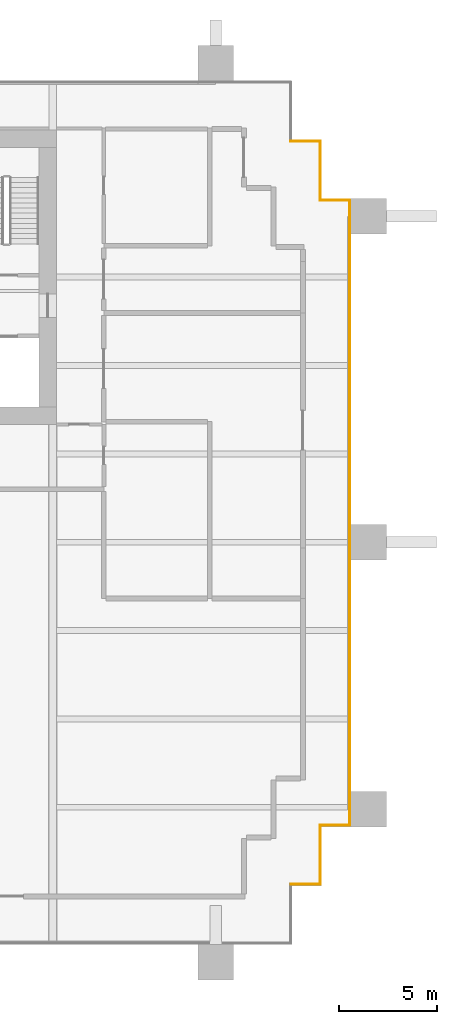
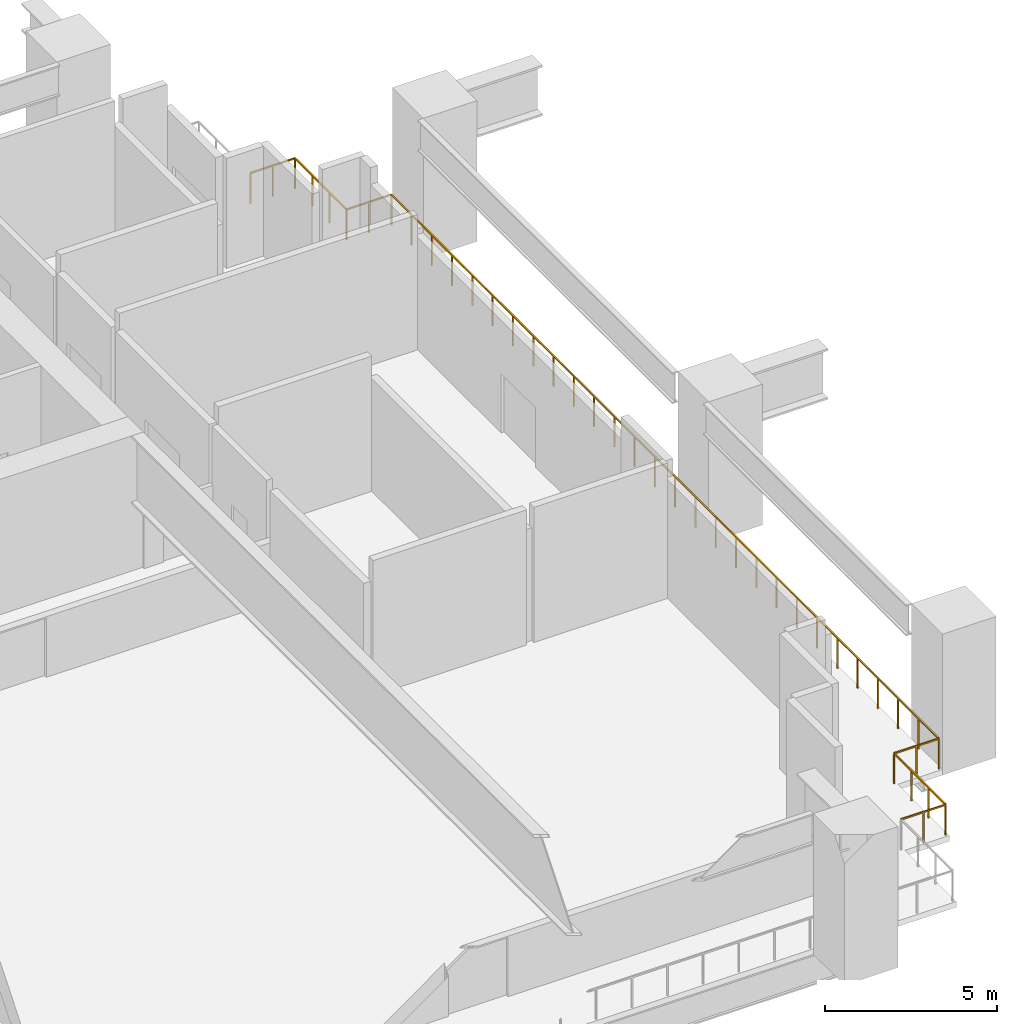
# One storey, part 11 of 11: 7 railings.
"""IFC4 building model written with IfcOpenShell, lengths in metres."""

from ifc_helpers import new_model, si_unit, direction, frame, origin, origin_2d, place, context, subcontext, project, spatial, rectangle, extrude, material, type_object, element, save


model = new_model("IFC4")

# Units and contexts
model_context = context("Model", 3, precision=1e-05, world=origin(), true_north=direction((0.0, 1.0)))
body_context = subcontext(model_context, "Body", "Model", "MODEL_VIEW")
ifc_project = project(units=[si_unit("LENGTHUNIT", "METRE"), si_unit("AREAUNIT", "SQUARE_METRE"), si_unit("VOLUMEUNIT", "CUBIC_METRE"), si_unit("PLANEANGLEUNIT", "RADIAN"), si_unit("MASSUNIT", "GRAM", prefix="KILO")], contexts=[model_context])

# Site, building, storey
site_placement = place(None, origin())
site = spatial("IfcSite", under=ifc_project, at=site_placement, CompositionType="ELEMENT")
building_placement = place(site_placement, origin())
building = spatial("IfcBuilding", under=site, at=building_placement, Name="Rattan Terrace Tower", CompositionType="ELEMENT")
storey_placement = place(building_placement, frame((0.0, 0.0, 69.300048828125)))
storey = spatial("IfcBuildingStorey", under=building, at=storey_placement, Name="L15", CompositionType="ELEMENT", Elevation=69.300048828125)

# Railings
ifc_material = material(Name="Stainless steel 316", Category="steel")
railing_type = type_object("IfcRailingType", Name="Facade Guard 1100", PredefinedType="GUARDRAIL", material=ifc_material)
railing_1_placement = place(storey_placement, frame((29.919921875, 6.919921875, 0.0)))
element("IfcRailing", 1, at=railing_1_placement, inside=storey, type_object=railing_type, Name="Guard L15-13", PredefinedType="GUARDRAIL", context=body_context, shape_type="SweptSolid", body=[
    extrude(rectangle(XDim=0.048095703125, YDim=0.048095703125, at=origin_2d()), frame((0.0, 0.0, 1.076171875), z_axis=(1.0, 0.0, 0.0), x_axis=(0.0, 1.0, 0.0)), (0.0, 0.0, 1.0), 1.5),
    extrude(rectangle(XDim=0.0419921875, YDim=0.0419921875, at=origin_2d()), origin(), (0.0, 0.0, 1.0), 1.052001953125),
    extrude(rectangle(XDim=0.0419921875, YDim=0.0419921875, at=origin_2d()), frame((0.75, 0.0, 0.0)), (0.0, 0.0, 1.0), 1.052001953125),
])
railing_2_placement = place(storey_placement, frame((31.419921875, 6.919921875, 0.0)))
element("IfcRailing", 2, at=railing_2_placement, inside=storey, type_object=railing_type, Name="Guard L15-14", PredefinedType="GUARDRAIL", context=body_context, shape_type="SweptSolid", body=[
    extrude(rectangle(XDim=0.048095703125, YDim=0.048095703125, at=origin_2d()), frame((0.0, 0.0, 1.076171875), z_axis=(0.0, -1.0, 0.0), x_axis=(1.0, 0.0, 0.0)), (0.0, 0.0, 1.0), 3.0),
    extrude(rectangle(XDim=0.0419921875, YDim=0.0419921875, at=origin_2d()), origin(), (0.0, 0.0, 1.0), 1.052001953125),
    extrude(rectangle(XDim=0.0419921875, YDim=0.0419921875, at=origin_2d()), frame((0.0, -1.0, 0.0)), (0.0, 0.0, 1.0), 1.052001953125),
    extrude(rectangle(XDim=0.0419921875, YDim=0.0419921875, at=origin_2d()), frame((0.0, -2.0, 0.0)), (0.0, 0.0, 1.0), 1.052001953125),
])
railing_3_placement = place(storey_placement, frame((31.419921875, 3.919921875, 0.0)))
element("IfcRailing", 3, at=railing_3_placement, inside=storey, type_object=railing_type, Name="Guard L15-15", PredefinedType="GUARDRAIL", context=body_context, shape_type="SweptSolid", body=[
    extrude(rectangle(XDim=0.048095703125, YDim=0.048095703125, at=origin_2d()), frame((0.0, 0.0, 1.076171875), z_axis=(1.0, 0.0, 0.0), x_axis=(0.0, 1.0, 0.0)), (0.0, 0.0, 1.0), 1.5),
    extrude(rectangle(XDim=0.0419921875, YDim=0.0419921875, at=origin_2d()), origin(), (0.0, 0.0, 1.0), 1.052001953125),
    extrude(rectangle(XDim=0.0419921875, YDim=0.0419921875, at=origin_2d()), frame((0.75, 0.0, 0.0)), (0.0, 0.0, 1.0), 1.052001953125),
])
railing_4_placement = place(storey_placement, frame((32.919921875, 3.919921875, 0.0)))
element("IfcRailing", 4, at=railing_4_placement, inside=storey, type_object=railing_type, Name="Guard L15-16", PredefinedType="GUARDRAIL", context=body_context, shape_type="SweptSolid", body=[
    extrude(rectangle(XDim=0.048095703125, YDim=0.048095703125, at=origin_2d()), frame((0.0, 0.0, 1.076171875), z_axis=(0.0, -1.0, 0.0), x_axis=(1.0, 0.0, 0.0)), (0.0, 0.0, 1.0), 31.83984375),
    extrude(rectangle(XDim=0.0419921875, YDim=0.0419921875, at=origin_2d()), origin(), (0.0, 0.0, 1.0), 1.052001953125),
    extrude(rectangle(XDim=0.0419921875, YDim=0.0419921875, at=origin_2d()), frame((0.0, -1.17919921875, 0.0)), (0.0, 0.0, 1.0), 1.052001953125),
    extrude(rectangle(XDim=0.0419921875, YDim=0.0419921875, at=origin_2d()), frame((0.0, -2.3583984375, 0.0)), (0.0, 0.0, 1.0), 1.052001953125),
    extrude(rectangle(XDim=0.0419921875, YDim=0.0419921875, at=origin_2d()), frame((0.0, -3.537841796875, 0.0)), (0.0, 0.0, 1.0), 1.052001953125),
    extrude(rectangle(XDim=0.0419921875, YDim=0.0419921875, at=origin_2d()), frame((0.0, -4.717041015625, 0.0)), (0.0, 0.0, 1.0), 1.052001953125),
    extrude(rectangle(XDim=0.0419921875, YDim=0.0419921875, at=origin_2d()), frame((0.0, -5.896240234375, 0.0)), (0.0, 0.0, 1.0), 1.052001953125),
    extrude(rectangle(XDim=0.0419921875, YDim=0.0419921875, at=origin_2d()), frame((0.0, -7.075439453125, 0.0)), (0.0, 0.0, 1.0), 1.052001953125),
    extrude(rectangle(XDim=0.0419921875, YDim=0.0419921875, at=origin_2d()), frame((0.0, -8.2548828125, 0.0)), (0.0, 0.0, 1.0), 1.052001953125),
    extrude(rectangle(XDim=0.0419921875, YDim=0.0419921875, at=origin_2d()), frame((0.0, -9.43408203125, 0.0)), (0.0, 0.0, 1.0), 1.052001953125),
    extrude(rectangle(XDim=0.0419921875, YDim=0.0419921875, at=origin_2d()), frame((0.0, -10.61328125, 0.0)), (0.0, 0.0, 1.0), 1.052001953125),
    extrude(rectangle(XDim=0.0419921875, YDim=0.0419921875, at=origin_2d()), frame((0.0, -11.79248046875, 0.0)), (0.0, 0.0, 1.0), 1.052001953125),
    extrude(rectangle(XDim=0.0419921875, YDim=0.0419921875, at=origin_2d()), frame((0.0, -12.9716796875, 0.0)), (0.0, 0.0, 1.0), 1.052001953125),
    extrude(rectangle(XDim=0.0419921875, YDim=0.0419921875, at=origin_2d()), frame((0.0, -14.151123046875, 0.0)), (0.0, 0.0, 1.0), 1.052001953125),
    extrude(rectangle(XDim=0.0419921875, YDim=0.0419921875, at=origin_2d()), frame((0.0, -15.330322265625, 0.0)), (0.0, 0.0, 1.0), 1.052001953125),
    extrude(rectangle(XDim=0.0419921875, YDim=0.0419921875, at=origin_2d()), frame((0.0, -16.509521484375, 0.0)), (0.0, 0.0, 1.0), 1.052001953125),
    extrude(rectangle(XDim=0.0419921875, YDim=0.0419921875, at=origin_2d()), frame((0.0, -17.688720703125, 0.0)), (0.0, 0.0, 1.0), 1.052001953125),
    extrude(rectangle(XDim=0.0419921875, YDim=0.0419921875, at=origin_2d()), frame((0.0, -18.8681640625, 0.0)), (0.0, 0.0, 1.0), 1.052001953125),
    extrude(rectangle(XDim=0.0419921875, YDim=0.0419921875, at=origin_2d()), frame((0.0, -20.04736328125, 0.0)), (0.0, 0.0, 1.0), 1.052001953125),
    extrude(rectangle(XDim=0.0419921875, YDim=0.0419921875, at=origin_2d()), frame((0.0, -21.2265625, 0.0)), (0.0, 0.0, 1.0), 1.052001953125),
    extrude(rectangle(XDim=0.0419921875, YDim=0.0419921875, at=origin_2d()), frame((0.0, -22.40576171875, 0.0)), (0.0, 0.0, 1.0), 1.052001953125),
    extrude(rectangle(XDim=0.0419921875, YDim=0.0419921875, at=origin_2d()), frame((0.0, -23.5849609375, 0.0)), (0.0, 0.0, 1.0), 1.052001953125),
    extrude(rectangle(XDim=0.0419921875, YDim=0.0419921875, at=origin_2d()), frame((0.0, -24.764404296875, 0.0)), (0.0, 0.0, 1.0), 1.052001953125),
    extrude(rectangle(XDim=0.0419921875, YDim=0.0419921875, at=origin_2d()), frame((0.0, -25.943603515625, 0.0)), (0.0, 0.0, 1.0), 1.052001953125),
    extrude(rectangle(XDim=0.0419921875, YDim=0.0419921875, at=origin_2d()), frame((0.0, -27.122802734375, 0.0)), (0.0, 0.0, 1.0), 1.052001953125),
    extrude(rectangle(XDim=0.0419921875, YDim=0.0419921875, at=origin_2d()), frame((0.0, -28.302001953125, 0.0)), (0.0, 0.0, 1.0), 1.052001953125),
    extrude(rectangle(XDim=0.0419921875, YDim=0.0419921875, at=origin_2d()), frame((0.0, -29.4814453125, 0.0)), (0.0, 0.0, 1.0), 1.052001953125),
    extrude(rectangle(XDim=0.0419921875, YDim=0.0419921875, at=origin_2d()), frame((0.0, -30.66064453125, 0.0)), (0.0, 0.0, 1.0), 1.052001953125),
])
railing_5_placement = place(storey_placement, frame((32.919921875, -27.919921875, 0.0)))
element("IfcRailing", 5, at=railing_5_placement, inside=storey, type_object=railing_type, Name="Guard L15-17", PredefinedType="GUARDRAIL", context=body_context, shape_type="SweptSolid", body=[
    extrude(rectangle(XDim=0.048095703125, YDim=0.048095703125, at=origin_2d()), frame((0.0, 0.0, 1.076171875), z_axis=(-1.0, 0.0, 0.0), x_axis=(0.0, -1.0, 0.0)), (0.0, 0.0, 1.0), 1.5),
    extrude(rectangle(XDim=0.0419921875, YDim=0.0419921875, at=origin_2d()), origin(), (0.0, 0.0, 1.0), 1.052001953125),
    extrude(rectangle(XDim=0.0419921875, YDim=0.0419921875, at=origin_2d()), frame((-0.75, 0.0, 0.0)), (0.0, 0.0, 1.0), 1.052001953125),
])
railing_6_placement = place(storey_placement, frame((31.419921875, -27.919921875, 0.0)))
element("IfcRailing", 6, at=railing_6_placement, inside=storey, type_object=railing_type, Name="Guard L15-18", PredefinedType="GUARDRAIL", context=body_context, shape_type="SweptSolid", body=[
    extrude(rectangle(XDim=0.048095703125, YDim=0.048095703125, at=origin_2d()), frame((0.0, 0.0, 1.076171875), z_axis=(0.0, -1.0, 0.0), x_axis=(1.0, 0.0, 0.0)), (0.0, 0.0, 1.0), 3.0),
    extrude(rectangle(XDim=0.0419921875, YDim=0.0419921875, at=origin_2d()), origin(), (0.0, 0.0, 1.0), 1.052001953125),
    extrude(rectangle(XDim=0.0419921875, YDim=0.0419921875, at=origin_2d()), frame((0.0, -1.0, 0.0)), (0.0, 0.0, 1.0), 1.052001953125),
    extrude(rectangle(XDim=0.0419921875, YDim=0.0419921875, at=origin_2d()), frame((0.0, -2.0, 0.0)), (0.0, 0.0, 1.0), 1.052001953125),
])
railing_7_placement = place(storey_placement, frame((31.419921875, -30.919921875, 0.0)))
element("IfcRailing", 7, at=railing_7_placement, inside=storey, type_object=railing_type, Name="Guard L15-19", PredefinedType="GUARDRAIL", context=body_context, shape_type="SweptSolid", body=[
    extrude(rectangle(XDim=0.048095703125, YDim=0.048095703125, at=origin_2d()), frame((0.0, 0.0, 1.076171875), z_axis=(-1.0, 0.0, 0.0), x_axis=(0.0, -1.0, 0.0)), (0.0, 0.0, 1.0), 1.5),
    extrude(rectangle(XDim=0.0419921875, YDim=0.0419921875, at=origin_2d()), origin(), (0.0, 0.0, 1.0), 1.052001953125),
    extrude(rectangle(XDim=0.0419921875, YDim=0.0419921875, at=origin_2d()), frame((-0.75, 0.0, 0.0)), (0.0, 0.0, 1.0), 1.052001953125),
])

save(model, "model.ifc")
